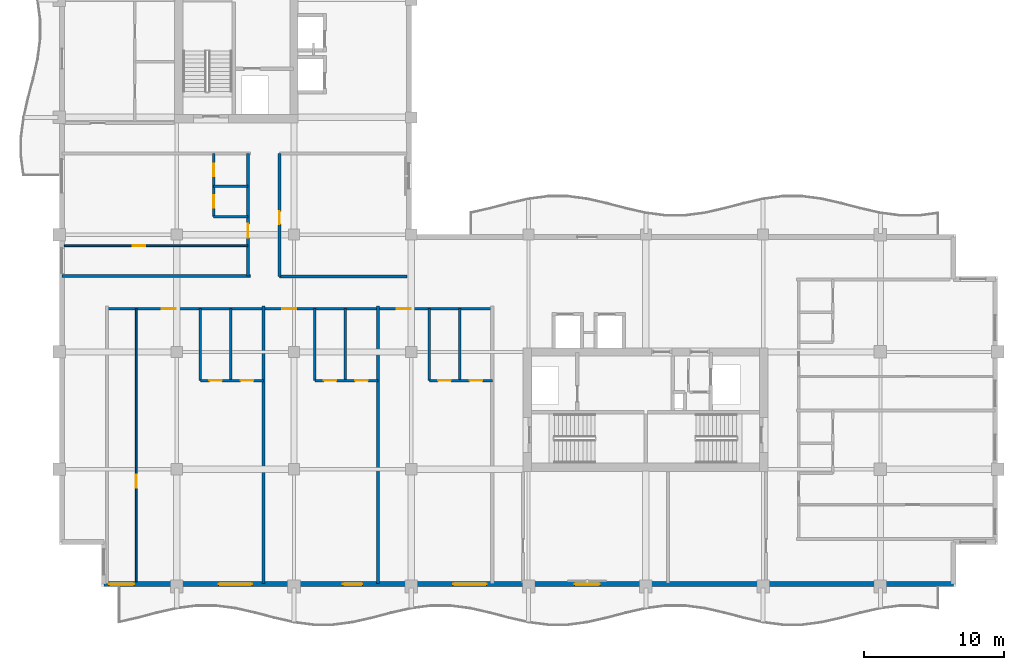
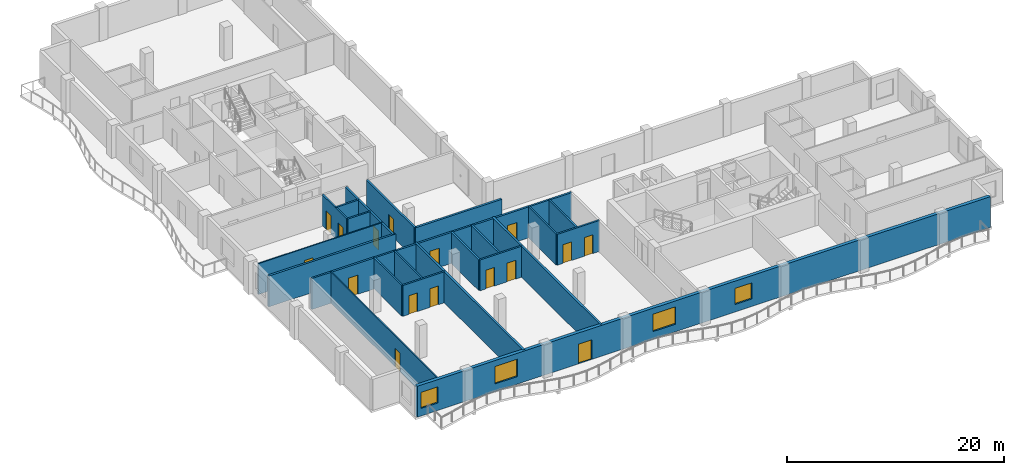
# One storey, part 3 of 12: 22 walls, 16 doors, 4 windows, 20 openings.
"""IFC4 building model written with IfcOpenShell, lengths in metres."""

from ifc_helpers import new_model, si_unit, direction, frame, frame_2d, origin, place, context, subcontext, project, spatial, rectangle, extrude, material, layer, layer_set, type_object, element, fill, save


model = new_model("IFC4")

# Units and contexts
model_context = context("Model", 3, precision=1e-05, world=origin(), true_north=direction((0.0, 1.0)))
body_context = subcontext(model_context, "Body", "Model", "MODEL_VIEW")
ifc_project = project(units=[si_unit("LENGTHUNIT", "METRE"), si_unit("AREAUNIT", "SQUARE_METRE"), si_unit("VOLUMEUNIT", "CUBIC_METRE"), si_unit("PLANEANGLEUNIT", "RADIAN"), si_unit("MASSUNIT", "GRAM", prefix="KILO")], contexts=[model_context])

# Site, building, storey
site_placement = place(None, origin())
site = spatial("IfcSite", under=ifc_project, at=site_placement, CompositionType="ELEMENT")
building_placement = place(site_placement, origin())
building = spatial("IfcBuilding", under=site, at=building_placement, Name="Koriwani Terraces Tower", CompositionType="ELEMENT")
storey_placement = place(building_placement, frame((0.0, 0.0, 249.0)))
storey = spatial("IfcBuildingStorey", under=building, at=storey_placement, Name="L61", CompositionType="ELEMENT", Elevation=249.0)

# Wall, opening, door
ifc_material_1 = material(Name="Autoclaved Cellular Concrete Blockwork", Category="masonry")
ifc_layer_1 = layer(ifc_material_1, 0.199951171875, Name="Autoclaved Cellular Concrete Blockwork")
ifc_layer_set_1 = layer_set([ifc_layer_1], Name="Autoclaved Cellular Concrete Blockwork")
wall_type_1 = type_object("IfcWallType", Name="WALL_CORRIDOR_200", PredefinedType="PARTITIONING", material=ifc_layer_set_1)
wall_1_placement = place(storey_placement, frame((24.14990234375, 30.60009765625, 0.0), z_axis=(0.0, 0.0, 1.0), x_axis=(0.0, 1.0, 0.0)))
wall_1 = element("IfcWall", 1, at=wall_1_placement, inside=storey, type_object=wall_type_1, Name="L61 Interior Wall WIC4W-L61", PredefinedType="PARTITIONING", context=body_context, shape_type="SweptSolid", body=[
    extrude(rectangle(XDim=8.7998046875, YDim=0.199951171875, at=frame_2d((4.39990234375, 0.0))), origin(), (0.0, 0.0, 1.0), 3.469970703125),
])
opening_1_placement = place(wall_1_placement, frame((3.75, 0.0, 0.0)))
opening_1 = element("IfcOpeningElement", 2, at=opening_1_placement, cuts=wall_1, Name="Opening D-06", PredefinedType="OPENING", context=body_context, shape_type="SweptSolid", body=[
    extrude(rectangle(XDim=0.919921875, YDim=2.10009765625, at=frame_2d((0.4599609375, 1.050048828125))), frame((0.0, 0.10986328125, 0.0), z_axis=(0.0, -1.0, 0.0), x_axis=(1.0, 0.0, 0.0)), (0.0, 0.0, 1.0), 0.219970703125),
])
ifc_material_2 = material(Name="Architectural Oak Fire Door", Category="wood")
door_type_1 = type_object("IfcDoorType", Name="DOOR_ROOM_INT_920X2100", OperationType="NOTDEFINED", PredefinedType="DOOR", material=ifc_material_2)
door_1_placement = place(opening_1_placement, origin())
door_1 = element("IfcDoor", 3, at=door_1_placement, inside=storey, type_object=door_type_1, Name="L61 High-Rise Court Study Door", OperationType="SINGLE_SWING_LEFT", OverallHeight=2.10009765625, OverallWidth=0.919921875, PredefinedType="DOOR", context=body_context, shape_type="SweptSolid", body=[
    extrude(rectangle(XDim=0.919921875, YDim=2.10009765625, at=frame_2d((0.4599609375, 1.050048828125))), frame((0.0, 0.02490234375, 0.0), z_axis=(0.0, -1.0, 0.0), x_axis=(1.0, 0.0, 0.0)), (0.0, 0.0, 1.0), 0.050048828125),
])
fill(opening_1, door_1)

# Wall, openings, doors
wall_2_placement = place(storey_placement, frame((11.800048828125, 28.300048828125, 0.0), z_axis=(0.0, 0.0, 1.0), x_axis=(1.0, 0.0, 0.0)))
wall_2 = element("IfcWall", 4, at=wall_2_placement, inside=storey, type_object=wall_type_1, Name="L61 Interior Wall WRCOR-L61-SW-0", PredefinedType="PARTITIONING", context=body_context, shape_type="SweptSolid", body=[
    extrude(rectangle(XDim=27.599853515625, YDim=0.199951171875, at=frame_2d((13.7998046875, 0.0))), origin(), (0.0, 0.0, 1.0), 3.469970703125),
])
opening_2_placement = place(wall_2_placement, frame((3.919921875, 0.0, 0.0)))
opening_2 = element("IfcOpeningElement", 5, at=opening_2_placement, cuts=wall_2, Name="Opening D-05", PredefinedType="OPENING", context=body_context, shape_type="SweptSolid", body=[
    extrude(rectangle(XDim=1.0, YDim=2.14990234375, at=frame_2d((0.5, 1.074951171875))), frame((0.0, 0.10986328125, 0.0), z_axis=(0.0, -1.0, 0.0), x_axis=(1.0, 0.0, 0.0)), (0.0, 0.0, 1.0), 0.219970703125),
])
opening_3_placement = place(wall_2_placement, frame((12.570068359375, 0.0, 0.0)))
opening_3 = element("IfcOpeningElement", 6, at=opening_3_placement, cuts=wall_2, Name="Opening D-05", PredefinedType="OPENING", context=body_context, shape_type="SweptSolid", body=[
    extrude(rectangle(XDim=1.0, YDim=2.14990234375, at=frame_2d((0.5, 1.074951171875))), frame((0.0, 0.10986328125, 0.0), z_axis=(0.0, -1.0, 0.0), x_axis=(1.0, 0.0, 0.0)), (0.0, 0.0, 1.0), 0.219970703125),
])
opening_4_placement = place(wall_2_placement, frame((20.77001953125, 0.0, 0.0)))
opening_4 = element("IfcOpeningElement", 7, at=opening_4_placement, cuts=wall_2, Name="Opening D-05", PredefinedType="OPENING", context=body_context, shape_type="SweptSolid", body=[
    extrude(rectangle(XDim=1.0, YDim=2.14990234375, at=frame_2d((0.5, 1.074951171875))), frame((0.0, 0.10986328125, 0.0), z_axis=(0.0, -1.0, 0.0), x_axis=(1.0, 0.0, 0.0)), (0.0, 0.0, 1.0), 0.219970703125),
])
door_type_2 = type_object("IfcDoorType", Name="DOOR_SUITE_ENTRY_1000X2150", OperationType="NOTDEFINED", PredefinedType="DOOR", material=ifc_material_2)
door_2_placement = place(opening_2_placement, origin())
door_2 = element("IfcDoor", 8, at=door_2_placement, inside=storey, type_object=door_type_2, Name="Apartment 61SW1 Entrance Door", OperationType="SINGLE_SWING_RIGHT", OverallHeight=2.14990234375, OverallWidth=1.0, PredefinedType="DOOR", context=body_context, shape_type="SweptSolid", body=[
    extrude(rectangle(XDim=1.0, YDim=2.14990234375, at=frame_2d((0.5, 1.074951171875))), frame((0.0, 0.02490234375, 0.0), z_axis=(0.0, -1.0, 0.0), x_axis=(1.0, 0.0, 0.0)), (0.0, 0.0, 1.0), 0.050048828125),
])
fill(opening_2, door_2)
door_3_placement = place(opening_3_placement, origin())
door_3 = element("IfcDoor", 9, at=door_3_placement, inside=storey, type_object=door_type_2, Name="Apartment 61SW2 Entrance Door", OperationType="SINGLE_SWING_RIGHT", OverallHeight=2.14990234375, OverallWidth=1.0, PredefinedType="DOOR", context=body_context, shape_type="SweptSolid", body=[
    extrude(rectangle(XDim=1.0, YDim=2.14990234375, at=frame_2d((0.5, 1.074951171875))), frame((0.0, 0.02490234375, 0.0), z_axis=(0.0, -1.0, 0.0), x_axis=(1.0, 0.0, 0.0)), (0.0, 0.0, 1.0), 0.050048828125),
])
fill(opening_3, door_3)
door_4_placement = place(opening_4_placement, origin())
door_4 = element("IfcDoor", 10, at=door_4_placement, inside=storey, type_object=door_type_2, Name="Apartment 61SW3 Entrance Door", OperationType="SINGLE_SWING_LEFT", OverallHeight=2.14990234375, OverallWidth=1.0, PredefinedType="DOOR", context=body_context, shape_type="SweptSolid", body=[
    extrude(rectangle(XDim=1.0, YDim=2.14990234375, at=frame_2d((0.5, 1.074951171875))), frame((0.0, 0.02490234375, 0.0), z_axis=(0.0, -1.0, 0.0), x_axis=(1.0, 0.0, 0.0)), (0.0, 0.0, 1.0), 0.050048828125),
])
fill(opening_4, door_4)

# Wall, opening, door
wall_3_placement = place(storey_placement, frame((21.89990234375, 30.64990234375, 0.0), z_axis=(0.0, 0.0, 1.0), x_axis=(0.0, 1.0, 0.0)))
wall_3 = element("IfcWall", 11, at=wall_3_placement, inside=storey, type_object=wall_type_1, Name="L61 Interior Wall WRCOR-L61-NE-0", PredefinedType="PARTITIONING", context=body_context, shape_type="SweptSolid", body=[
    extrude(rectangle(XDim=8.75, YDim=0.199951171875, at=frame_2d((4.375, 0.0))), origin(), (0.0, 0.0, 1.0), 3.469970703125),
])
opening_5_placement = place(wall_3_placement, frame((2.719970703125, 0.0, 0.0)))
opening_5 = element("IfcOpeningElement", 12, at=opening_5_placement, cuts=wall_3, Name="Opening D-05", PredefinedType="OPENING", context=body_context, shape_type="SweptSolid", body=[
    extrude(rectangle(XDim=1.0, YDim=2.14990234375, at=frame_2d((0.5, 1.074951171875))), frame((0.0, 0.10986328125, 0.0), z_axis=(0.0, -1.0, 0.0), x_axis=(1.0, 0.0, 0.0)), (0.0, 0.0, 1.0), 0.219970703125),
])
door_5_placement = place(opening_5_placement, origin())
door_5 = element("IfcDoor", 13, at=door_5_placement, inside=storey, type_object=door_type_2, Name="Apartment 61NE1 Entrance Door", OperationType="SINGLE_SWING_RIGHT", OverallHeight=2.14990234375, OverallWidth=1.0, PredefinedType="DOOR", context=body_context, shape_type="SweptSolid", body=[
    extrude(rectangle(XDim=1.0, YDim=2.14990234375, at=frame_2d((0.5, 1.074951171875))), frame((0.0, 0.02490234375, 0.0), z_axis=(0.0, -1.0, 0.0), x_axis=(1.0, 0.0, 0.0)), (0.0, 0.0, 1.0), 0.050048828125),
])
fill(opening_5, door_5)

# Walls
ifc_layer_2 = layer(ifc_material_1, 0.219970703125, Name="Autoclaved Cellular Concrete Blockwork")
ifc_layer_set_2 = layer_set([ifc_layer_2], Name="Autoclaved Cellular Concrete Blockwork")
wall_type_2 = type_object("IfcWallType", Name="WALL_DEMISING_220", PredefinedType="PARTITIONING", material=ifc_layer_set_2)
wall_4_placement = place(storey_placement, frame((24.14990234375, 30.60009765625, 0.0), z_axis=(0.0, 0.0, 1.0), x_axis=(1.0, 0.0, 0.0)))
element("IfcWall", 14, at=wall_4_placement, inside=storey, type_object=wall_type_2, Name="L61 Interior Wall WIC4WS-L61", PredefinedType="PARTITIONING", context=body_context, shape_type="SweptSolid", body=[
    extrude(rectangle(XDim=9.150146484375, YDim=0.219970703125, at=frame_2d((4.5751953125, 0.0))), origin(), (0.0, 0.0, 1.0), 3.469970703125),
])
for number, where, z_axis, x_axis, name in (
    (15, (23.0, 8.60009765625, 0.0), (0.0, 0.0, 1.0), (0.0, 1.0, 0.0), "L61 Interior Wall WRDEM-L61-SW-1"),
    (16, (31.199951171875, 8.60009765625, 0.0), (0.0, 0.0, 1.0), (0.0, 1.0, 0.0), "L61 Interior Wall WRDEM-L61-SW-2"),
):
    element("IfcWall", number, at=place(storey_placement, frame(where, z_axis=z_axis, x_axis=x_axis)), inside=storey, type_object=wall_type_2, Name=name, PredefinedType="PARTITIONING", context=body_context, shape_type="SweptSolid", body=[
        extrude(rectangle(XDim=19.8798828125, YDim=0.219970703125, at=frame_2d((9.93994140625, 0.0))), origin(), (0.0, 0.0, 1.0), 3.469970703125),
    ])
wall_5_placement = place(storey_placement, frame((8.60009765625, 30.64990234375, 0.0), z_axis=(0.0, 0.0, 1.0), x_axis=(1.0, 0.0, 0.0)))
element("IfcWall", 17, at=wall_5_placement, inside=storey, type_object=wall_type_2, Name="L61 Interior Wall WRDEM-L61-NE-0", PredefinedType="PARTITIONING", context=body_context, shape_type="SweptSolid", body=[
    extrude(rectangle(XDim=13.47998046875, YDim=0.219970703125, at=frame_2d((6.739990234375, 0.0))), origin(), (0.0, 0.0, 1.0), 3.469970703125),
])

# Wall, openings, door, windows
ifc_material_3 = material(Name="Concrete C50/60", Category="concrete")
ifc_layer_3 = layer(ifc_material_3, 0.35009765625, Name="Concrete C50/60")
ifc_layer_set_3 = layer_set([ifc_layer_3], Name="Concrete C50/60")
wall_type_3 = type_object("IfcWallType", Name="WALL_EXT_BRUTALIST_350", PredefinedType="STANDARD", material=ifc_layer_set_3)
wall_6_placement = place(storey_placement, frame((72.425048828125, 8.574951171875, 0.0), z_axis=(0.0, 0.0, 1.0), x_axis=(-1.0, 0.0, 0.0)))
wall_6 = element("IfcWall", 18, at=wall_6_placement, inside=storey, type_object=wall_type_3, Name="L61 Fair-Faced Brutalist Exterior Wall (S)", PredefinedType="STANDARD", context=body_context, shape_type="SweptSolid", body=[
    extrude(rectangle(XDim=60.85009765625, YDim=0.35009765625, at=frame_2d((30.425048828125, 0.0))), origin(), (0.0, 0.0, 1.0), 3.469970703125),
])
opening_6_placement = place(wall_6_placement, frame((42.324951171875, 0.0, 0.0)))
opening_6 = element("IfcOpeningElement", 19, at=opening_6_placement, cuts=wall_6, Name="Opening D-09", PredefinedType="OPENING", context=body_context, shape_type="SweptSolid", body=[
    extrude(rectangle(XDim=1.39990234375, YDim=2.199951171875, at=frame_2d((0.699951171875, 1.10009765625))), frame((0.0, 0.18505859375, 0.0), z_axis=(0.0, -1.0, 0.0), x_axis=(1.0, 0.0, 0.0)), (0.0, 0.0, 1.0), 0.3701171875),
])
opening_7_placement = place(wall_6_placement, frame((50.22509765625, 0.0, 0.85009765625)))
opening_7 = element("IfcOpeningElement", 20, at=opening_7_placement, cuts=wall_6, Name="Opening W-03", PredefinedType="OPENING", context=body_context, shape_type="SweptSolid", body=[
    extrude(rectangle(XDim=2.39990234375, YDim=1.949951171875, at=frame_2d((1.199951171875, 0.97509765625))), frame((0.0, 0.18505859375, 0.0), z_axis=(0.0, -1.0, 0.0), x_axis=(1.0, 0.0, 0.0)), (0.0, 0.0, 1.0), 0.3701171875),
])
opening_8_placement = place(wall_6_placement, frame((33.425048828125, 0.0, 0.85009765625)))
opening_8 = element("IfcOpeningElement", 21, at=opening_8_placement, cuts=wall_6, Name="Opening W-03", PredefinedType="OPENING", context=body_context, shape_type="SweptSolid", body=[
    extrude(rectangle(XDim=2.39990234375, YDim=1.949951171875, at=frame_2d((1.199951171875, 0.97509765625))), frame((0.0, 0.18505859375, 0.0), z_axis=(0.0, -1.0, 0.0), x_axis=(1.0, 0.0, 0.0)), (0.0, 0.0, 1.0), 0.3701171875),
])
opening_9_placement = place(wall_6_placement, frame((25.324951171875, 0.0, 0.85009765625)))
opening_9 = element("IfcOpeningElement", 22, at=opening_9_placement, cuts=wall_6, Name="Opening W-04", PredefinedType="OPENING", context=body_context, shape_type="SweptSolid", body=[
    extrude(rectangle(XDim=1.800048828125, YDim=1.800048828125, at=frame_2d((0.89990234375, 0.89990234375))), frame((0.0, 0.18505859375, 0.0), z_axis=(0.0, -1.0, 0.0), x_axis=(1.0, 0.0, 0.0)), (0.0, 0.0, 1.0), 0.3701171875),
])
opening_10_placement = place(wall_6_placement, frame((58.675048828125, 0.0, 0.85009765625)))
opening_10 = element("IfcOpeningElement", 23, at=opening_10_placement, cuts=wall_6, Name="Opening W-04", PredefinedType="OPENING", context=body_context, shape_type="SweptSolid", body=[
    extrude(rectangle(XDim=1.800048828125, YDim=1.800048828125, at=frame_2d((0.89990234375, 0.89990234375))), frame((0.0, 0.18505859375, 0.0), z_axis=(0.0, -1.0, 0.0), x_axis=(1.0, 0.0, 0.0)), (0.0, 0.0, 1.0), 0.3701171875),
])
ifc_material_4 = material(Name="Anodised Bronze Aluminium", Category="aluminium")
door_type_3 = type_object("IfcDoorType", Name="DOOR_BALCONY_GLAZED_1400X2200", OperationType="NOTDEFINED", PredefinedType="DOOR", material=ifc_material_4)
door_6_placement = place(opening_6_placement, origin())
door_6 = element("IfcDoor", 24, at=door_6_placement, inside=storey, type_object=door_type_3, Name="L61 South Balcony Glazed Door", OperationType="SINGLE_SWING_LEFT", OverallHeight=2.199951171875, OverallWidth=1.39990234375, PredefinedType="DOOR", context=body_context, shape_type="SweptSolid", body=[
    extrude(rectangle(XDim=1.39990234375, YDim=2.199951171875, at=frame_2d((0.699951171875, 1.10009765625))), frame((0.0, 0.02490234375, 0.0), z_axis=(0.0, -1.0, 0.0), x_axis=(1.0, 0.0, 0.0)), (0.0, 0.0, 1.0), 0.050048828125),
])
fill(opening_6, door_6)
ifc_material_5 = material(Name="Tempered Laminated Low-E Glass", Category="glass")
window_type_1 = type_object("IfcWindowType", Name="WIN_RES_BED_1800X1800", PartitioningType="DOUBLE_PANEL_VERTICAL", PredefinedType="WINDOW", material=ifc_material_5)
window_1_placement = place(opening_9_placement, origin())
window_1 = element("IfcWindow", 25, at=window_1_placement, inside=storey, type_object=window_type_1, Name="L61 Exterior Window (S-12)", OverallHeight=1.800048828125, OverallWidth=1.800048828125, PartitioningType="SINGLE_PANEL", PredefinedType="WINDOW", context=body_context, shape_type="SweptSolid", body=[
    extrude(rectangle(XDim=1.800048828125, YDim=1.800048828125, at=frame_2d((0.89990234375, 0.89990234375))), frame((0.0, 0.030029296875, 0.0), z_axis=(0.0, -1.0, 0.0), x_axis=(1.0, 0.0, 0.0)), (0.0, 0.0, 1.0), 0.06005859375),
])
fill(opening_9, window_1)
window_2_placement = place(opening_10_placement, origin())
window_2 = element("IfcWindow", 26, at=window_2_placement, inside=storey, type_object=window_type_1, Name="L61 Exterior Window (S-R34)", OverallHeight=1.800048828125, OverallWidth=1.800048828125, PartitioningType="SINGLE_PANEL", PredefinedType="WINDOW", context=body_context, shape_type="SweptSolid", body=[
    extrude(rectangle(XDim=1.800048828125, YDim=1.800048828125, at=frame_2d((0.89990234375, 0.89990234375))), frame((0.0, 0.030029296875, 0.0), z_axis=(0.0, -1.0, 0.0), x_axis=(1.0, 0.0, 0.0)), (0.0, 0.0, 1.0), 0.06005859375),
])
fill(opening_10, window_2)
window_type_2 = type_object("IfcWindowType", Name="WIN_RES_LIVING_2400X1950", PartitioningType="DOUBLE_PANEL_VERTICAL", PredefinedType="WINDOW", material=ifc_material_5)
window_3_placement = place(opening_7_placement, origin())
window_3 = element("IfcWindow", 27, at=window_3_placement, inside=storey, type_object=window_type_2, Name="L61 Exterior Window (S-3)", OverallHeight=1.949951171875, OverallWidth=2.39990234375, PartitioningType="SINGLE_PANEL", PredefinedType="WINDOW", context=body_context, shape_type="SweptSolid", body=[
    extrude(rectangle(XDim=2.39990234375, YDim=1.949951171875, at=frame_2d((1.199951171875, 0.97509765625))), frame((0.0, 0.030029296875, 0.0), z_axis=(0.0, -1.0, 0.0), x_axis=(1.0, 0.0, 0.0)), (0.0, 0.0, 1.0), 0.06005859375),
])
fill(opening_7, window_3)
window_4_placement = place(opening_8_placement, origin())
window_4 = element("IfcWindow", 28, at=window_4_placement, inside=storey, type_object=window_type_2, Name="L61 Exterior Window (S-9)", OverallHeight=1.949951171875, OverallWidth=2.39990234375, PartitioningType="SINGLE_PANEL", PredefinedType="WINDOW", context=body_context, shape_type="SweptSolid", body=[
    extrude(rectangle(XDim=2.39990234375, YDim=1.949951171875, at=frame_2d((1.199951171875, 0.97509765625))), frame((0.0, 0.030029296875, 0.0), z_axis=(0.0, -1.0, 0.0), x_axis=(1.0, 0.0, 0.0)), (0.0, 0.0, 1.0), 0.06005859375),
])
fill(opening_8, window_4)

# Wall, opening, door
ifc_material_6 = material(Name="Fire-Rated Acoustic Gypsum Partition", Category="masonry")
ifc_layer_4 = layer(ifc_material_6, 0.125, Name="Fire-Rated Acoustic Gypsum Partition")
ifc_layer_set_4 = layer_set([ifc_layer_4], Name="Fire-Rated Acoustic Gypsum Partition")
wall_type_4 = type_object("IfcWallType", Name="WALL_INT_125", PredefinedType="PARTITIONING", material=ifc_layer_set_4)
wall_7_placement = place(storey_placement, frame((13.89990234375, 8.75, 0.0), z_axis=(0.0, 0.0, 1.0), x_axis=(0.0, 1.0, 0.0)))
wall_7 = element("IfcWall", 29, at=wall_7_placement, inside=storey, type_object=wall_type_4, Name="L61 Interior Wall WRBED1-L61-SW-0", PredefinedType="PARTITIONING", context=body_context, shape_type="SweptSolid", body=[
    extrude(rectangle(XDim=19.550048828125, YDim=0.125, at=frame_2d((9.77490234375, 0.0))), origin(), (0.0, 0.0, 1.0), 3.469970703125),
])
opening_11_placement = place(wall_7_placement, frame((6.739990234375, 0.0, 0.0)))
opening_11 = element("IfcOpeningElement", 30, at=opening_11_placement, cuts=wall_7, Name="Opening D-06", PredefinedType="OPENING", context=body_context, shape_type="SweptSolid", body=[
    extrude(rectangle(XDim=0.919921875, YDim=2.10009765625, at=frame_2d((0.4599609375, 1.050048828125))), frame((0.0, 0.072509765625, 0.0), z_axis=(0.0, -1.0, 0.0), x_axis=(1.0, 0.0, 0.0)), (0.0, 0.0, 1.0), 0.14501953125),
])
door_7_placement = place(opening_11_placement, origin())
door_7 = element("IfcDoor", 31, at=door_7_placement, inside=storey, type_object=door_type_1, Name="Apartment 61SW1 Master Bedroom Door", OperationType="SINGLE_SWING_LEFT", OverallHeight=2.10009765625, OverallWidth=0.919921875, PredefinedType="DOOR", context=body_context, shape_type="SweptSolid", body=[
    extrude(rectangle(XDim=0.919921875, YDim=2.10009765625, at=frame_2d((0.4599609375, 1.050048828125))), frame((0.0, 0.02490234375, 0.0), z_axis=(0.0, -1.0, 0.0), x_axis=(1.0, 0.0, 0.0)), (0.0, 0.0, 1.0), 0.050048828125),
])
fill(opening_11, door_7)

wall_8_placement = place(storey_placement, frame((8.75, 32.800048828125, 0.0), z_axis=(0.0, 0.0, 1.0), x_axis=(1.0, 0.0, 0.0)))
wall_8 = element("IfcWall", 32, at=wall_8_placement, inside=storey, type_object=wall_type_4, Name="L61 Interior Wall WRBED1-L61-NE-0", PredefinedType="PARTITIONING", context=body_context, shape_type="SweptSolid", body=[
    extrude(rectangle(XDim=13.14990234375, YDim=0.125, at=frame_2d((6.574951171875, 0.0))), origin(), (0.0, 0.0, 1.0), 3.469970703125),
])
opening_12_placement = place(wall_8_placement, frame((4.889892578125, 0.0, 0.0)))
opening_12 = element("IfcOpeningElement", 33, at=opening_12_placement, cuts=wall_8, Name="Opening D-06", PredefinedType="OPENING", context=body_context, shape_type="SweptSolid", body=[
    extrude(rectangle(XDim=0.919921875, YDim=2.10009765625, at=frame_2d((0.4599609375, 1.050048828125))), frame((0.0, 0.072509765625, 0.0), z_axis=(0.0, -1.0, 0.0), x_axis=(1.0, 0.0, 0.0)), (0.0, 0.0, 1.0), 0.14501953125),
])
door_8_placement = place(opening_12_placement, origin())
door_8 = element("IfcDoor", 34, at=door_8_placement, inside=storey, type_object=door_type_1, Name="Apartment 61NE1 Master Bedroom Door", OperationType="SINGLE_SWING_LEFT", OverallHeight=2.10009765625, OverallWidth=0.919921875, PredefinedType="DOOR", context=body_context, shape_type="SweptSolid", body=[
    extrude(rectangle(XDim=0.919921875, YDim=2.10009765625, at=frame_2d((0.4599609375, 1.050048828125))), frame((0.0, 0.02490234375, 0.0), z_axis=(0.0, -1.0, 0.0), x_axis=(1.0, 0.0, 0.0)), (0.0, 0.0, 1.0), 0.050048828125),
])
fill(opening_12, door_8)

# Wall, openings, doors
ifc_layer_5 = layer(ifc_material_6, 0.179931640625, Name="Fire-Rated Acoustic Gypsum Partition")
ifc_layer_set_5 = layer_set([ifc_layer_5], Name="Fire-Rated Acoustic Gypsum Partition")
wall_type_5 = type_object("IfcWallType", Name="WALL_PLUMBING_180", PredefinedType="PLUMBINGWALL", material=ifc_layer_set_5)
wall_9_placement = place(storey_placement, frame((18.5, 23.14990234375, 0.0), z_axis=(0.0, 0.0, 1.0), x_axis=(1.0, 0.0, 0.0)))
wall_9 = element("IfcWall", 35, at=wall_9_placement, inside=storey, type_object=wall_type_5, Name="L61 Interior Wall WRSVC-L61-SW-0", PredefinedType="PLUMBINGWALL", context=body_context, shape_type="SweptSolid", body=[
    extrude(rectangle(XDim=4.5, YDim=0.179931640625, at=frame_2d((2.25, 0.0))), origin(), (0.0, 0.0, 1.0), 3.469970703125),
])
opening_13_placement = place(wall_9_placement, frame((0.6298828125, 0.0, 0.0)))
opening_13 = element("IfcOpeningElement", 36, at=opening_13_placement, cuts=wall_9, Name="Opening D-07", PredefinedType="OPENING", context=body_context, shape_type="SweptSolid", body=[
    extrude(rectangle(XDim=0.89990234375, YDim=2.10009765625, at=frame_2d((0.449951171875, 1.050048828125))), frame((0.0, 0.10009765625, 0.0), z_axis=(0.0, -1.0, 0.0), x_axis=(1.0, 0.0, 0.0)), (0.0, 0.0, 1.0), 0.199951171875),
])
opening_14_placement = place(wall_9_placement, frame((2.8701171875, 0.0, 0.0)))
opening_14 = element("IfcOpeningElement", 37, at=opening_14_placement, cuts=wall_9, Name="Opening D-06", PredefinedType="OPENING", context=body_context, shape_type="SweptSolid", body=[
    extrude(rectangle(XDim=0.919921875, YDim=2.10009765625, at=frame_2d((0.4599609375, 1.050048828125))), frame((0.0, 0.10009765625, 0.0), z_axis=(0.0, -1.0, 0.0), x_axis=(1.0, 0.0, 0.0)), (0.0, 0.0, 1.0), 0.199951171875),
])
door_type_4 = type_object("IfcDoorType", Name="DOOR_BATH_INT_900X2100", OperationType="NOTDEFINED", PredefinedType="DOOR", material=ifc_material_2)
door_9_placement = place(opening_13_placement, origin())
door_9 = element("IfcDoor", 38, at=door_9_placement, inside=storey, type_object=door_type_4, Name="Apartment 61SW1 Bathroom Door", OperationType="SINGLE_SWING_LEFT", OverallHeight=2.10009765625, OverallWidth=0.89990234375, PredefinedType="DOOR", context=body_context, shape_type="SweptSolid", body=[
    extrude(rectangle(XDim=0.89990234375, YDim=2.10009765625, at=frame_2d((0.449951171875, 1.050048828125))), frame((0.0, 0.02490234375, 0.0), z_axis=(0.0, -1.0, 0.0), x_axis=(1.0, 0.0, 0.0)), (0.0, 0.0, 1.0), 0.050048828125),
])
fill(opening_13, door_9)
door_10_placement = place(opening_14_placement, origin())
door_10 = element("IfcDoor", 39, at=door_10_placement, inside=storey, type_object=door_type_1, Name="Apartment 61SW1 Kitchen Door", OperationType="SINGLE_SWING_RIGHT", OverallHeight=2.10009765625, OverallWidth=0.919921875, PredefinedType="DOOR", context=body_context, shape_type="SweptSolid", body=[
    extrude(rectangle(XDim=0.919921875, YDim=2.10009765625, at=frame_2d((0.4599609375, 1.050048828125))), frame((0.0, 0.02490234375, 0.0), z_axis=(0.0, -1.0, 0.0), x_axis=(1.0, 0.0, 0.0)), (0.0, 0.0, 1.0), 0.050048828125),
])
fill(opening_14, door_10)

# Walls
for number, where, z_axis, x_axis, name in (
    (40, (18.5, 23.14990234375, 0.0), (0.0, 0.0, 1.0), (0.0, 1.0, 0.0), "L61 Interior Wall WRSVCS-L61-SW-0"),
    (41, (20.659912109375, 23.14990234375, 0.0), (0.0, 0.0, 1.0), (0.0, 1.0, 0.0), "L61 Interior Wall WRSVCM-L61-SW-0"),
):
    element("IfcWall", number, at=place(storey_placement, frame(where, z_axis=z_axis, x_axis=x_axis)), inside=storey, type_object=wall_type_5, Name=name, PredefinedType="PLUMBINGWALL", context=body_context, shape_type="SweptSolid", body=[
        extrude(rectangle(XDim=5.150146484375, YDim=0.179931640625, at=frame_2d((2.5751953125, 0.0))), origin(), (0.0, 0.0, 1.0), 3.469970703125),
    ])

# Wall, openings, doors
wall_10_placement = place(storey_placement, frame((26.699951171875, 23.14990234375, 0.0), z_axis=(0.0, 0.0, 1.0), x_axis=(1.0, 0.0, 0.0)))
wall_10 = element("IfcWall", 42, at=wall_10_placement, inside=storey, type_object=wall_type_5, Name="L61 Interior Wall WRSVC-L61-SW-1", PredefinedType="PLUMBINGWALL", context=body_context, shape_type="SweptSolid", body=[
    extrude(rectangle(XDim=4.5, YDim=0.179931640625, at=frame_2d((2.25, 0.0))), origin(), (0.0, 0.0, 1.0), 3.469970703125),
])
opening_15_placement = place(wall_10_placement, frame((0.6298828125, 0.0, 0.0)))
opening_15 = element("IfcOpeningElement", 43, at=opening_15_placement, cuts=wall_10, Name="Opening D-07", PredefinedType="OPENING", context=body_context, shape_type="SweptSolid", body=[
    extrude(rectangle(XDim=0.89990234375, YDim=2.10009765625, at=frame_2d((0.449951171875, 1.050048828125))), frame((0.0, 0.10009765625, 0.0), z_axis=(0.0, -1.0, 0.0), x_axis=(1.0, 0.0, 0.0)), (0.0, 0.0, 1.0), 0.199951171875),
])
opening_16_placement = place(wall_10_placement, frame((2.8701171875, 0.0, 0.0)))
opening_16 = element("IfcOpeningElement", 44, at=opening_16_placement, cuts=wall_10, Name="Opening D-06", PredefinedType="OPENING", context=body_context, shape_type="SweptSolid", body=[
    extrude(rectangle(XDim=0.919921875, YDim=2.10009765625, at=frame_2d((0.4599609375, 1.050048828125))), frame((0.0, 0.10009765625, 0.0), z_axis=(0.0, -1.0, 0.0), x_axis=(1.0, 0.0, 0.0)), (0.0, 0.0, 1.0), 0.199951171875),
])
door_11_placement = place(opening_15_placement, origin())
door_11 = element("IfcDoor", 45, at=door_11_placement, inside=storey, type_object=door_type_4, Name="Apartment 61SW2 Bathroom Door", OperationType="SINGLE_SWING_LEFT", OverallHeight=2.10009765625, OverallWidth=0.89990234375, PredefinedType="DOOR", context=body_context, shape_type="SweptSolid", body=[
    extrude(rectangle(XDim=0.89990234375, YDim=2.10009765625, at=frame_2d((0.449951171875, 1.050048828125))), frame((0.0, 0.02490234375, 0.0), z_axis=(0.0, -1.0, 0.0), x_axis=(1.0, 0.0, 0.0)), (0.0, 0.0, 1.0), 0.050048828125),
])
fill(opening_15, door_11)
door_12_placement = place(opening_16_placement, origin())
door_12 = element("IfcDoor", 46, at=door_12_placement, inside=storey, type_object=door_type_1, Name="Apartment 61SW2 Kitchen Door", OperationType="SINGLE_SWING_RIGHT", OverallHeight=2.10009765625, OverallWidth=0.919921875, PredefinedType="DOOR", context=body_context, shape_type="SweptSolid", body=[
    extrude(rectangle(XDim=0.919921875, YDim=2.10009765625, at=frame_2d((0.4599609375, 1.050048828125))), frame((0.0, 0.02490234375, 0.0), z_axis=(0.0, -1.0, 0.0), x_axis=(1.0, 0.0, 0.0)), (0.0, 0.0, 1.0), 0.050048828125),
])
fill(opening_16, door_12)

# Walls
for number, where, z_axis, x_axis, name in (
    (47, (26.699951171875, 23.14990234375, 0.0), (0.0, 0.0, 1.0), (0.0, 1.0, 0.0), "L61 Interior Wall WRSVCS-L61-SW-1"),
    (48, (28.860107421875, 23.14990234375, 0.0), (0.0, 0.0, 1.0), (0.0, 1.0, 0.0), "L61 Interior Wall WRSVCM-L61-SW-1"),
):
    element("IfcWall", number, at=place(storey_placement, frame(where, z_axis=z_axis, x_axis=x_axis)), inside=storey, type_object=wall_type_5, Name=name, PredefinedType="PLUMBINGWALL", context=body_context, shape_type="SweptSolid", body=[
        extrude(rectangle(XDim=5.150146484375, YDim=0.179931640625, at=frame_2d((2.5751953125, 0.0))), origin(), (0.0, 0.0, 1.0), 3.469970703125),
    ])

# Wall, openings, doors
wall_11_placement = place(storey_placement, frame((34.89990234375, 23.14990234375, 0.0), z_axis=(0.0, 0.0, 1.0), x_axis=(1.0, 0.0, 0.0)))
wall_11 = element("IfcWall", 49, at=wall_11_placement, inside=storey, type_object=wall_type_5, Name="L61 Interior Wall WRSVC-L61-SW-2", PredefinedType="PLUMBINGWALL", context=body_context, shape_type="SweptSolid", body=[
    extrude(rectangle(XDim=4.5, YDim=0.179931640625, at=frame_2d((2.25, 0.0))), origin(), (0.0, 0.0, 1.0), 3.469970703125),
])
opening_17_placement = place(wall_11_placement, frame((0.6298828125, 0.0, 0.0)))
opening_17 = element("IfcOpeningElement", 50, at=opening_17_placement, cuts=wall_11, Name="Opening D-07", PredefinedType="OPENING", context=body_context, shape_type="SweptSolid", body=[
    extrude(rectangle(XDim=0.89990234375, YDim=2.10009765625, at=frame_2d((0.449951171875, 1.050048828125))), frame((0.0, 0.10009765625, 0.0), z_axis=(0.0, -1.0, 0.0), x_axis=(1.0, 0.0, 0.0)), (0.0, 0.0, 1.0), 0.199951171875),
])
opening_18_placement = place(wall_11_placement, frame((2.8701171875, 0.0, 0.0)))
opening_18 = element("IfcOpeningElement", 51, at=opening_18_placement, cuts=wall_11, Name="Opening D-06", PredefinedType="OPENING", context=body_context, shape_type="SweptSolid", body=[
    extrude(rectangle(XDim=0.919921875, YDim=2.10009765625, at=frame_2d((0.4599609375, 1.050048828125))), frame((0.0, 0.10009765625, 0.0), z_axis=(0.0, -1.0, 0.0), x_axis=(1.0, 0.0, 0.0)), (0.0, 0.0, 1.0), 0.199951171875),
])
door_13_placement = place(opening_17_placement, origin())
door_13 = element("IfcDoor", 52, at=door_13_placement, inside=storey, type_object=door_type_4, Name="Apartment 61SW3 Bathroom Door", OperationType="SINGLE_SWING_RIGHT", OverallHeight=2.10009765625, OverallWidth=0.89990234375, PredefinedType="DOOR", context=body_context, shape_type="SweptSolid", body=[
    extrude(rectangle(XDim=0.89990234375, YDim=2.10009765625, at=frame_2d((0.449951171875, 1.050048828125))), frame((0.0, 0.02490234375, 0.0), z_axis=(0.0, -1.0, 0.0), x_axis=(1.0, 0.0, 0.0)), (0.0, 0.0, 1.0), 0.050048828125),
])
fill(opening_17, door_13)
door_14_placement = place(opening_18_placement, origin())
door_14 = element("IfcDoor", 53, at=door_14_placement, inside=storey, type_object=door_type_1, Name="Apartment 61SW3 Kitchen Door", OperationType="SINGLE_SWING_LEFT", OverallHeight=2.10009765625, OverallWidth=0.919921875, PredefinedType="DOOR", context=body_context, shape_type="SweptSolid", body=[
    extrude(rectangle(XDim=0.919921875, YDim=2.10009765625, at=frame_2d((0.4599609375, 1.050048828125))), frame((0.0, 0.02490234375, 0.0), z_axis=(0.0, -1.0, 0.0), x_axis=(1.0, 0.0, 0.0)), (0.0, 0.0, 1.0), 0.050048828125),
])
fill(opening_18, door_14)

# Walls
for number, where, z_axis, x_axis, name in (
    (54, (34.89990234375, 23.14990234375, 0.0), (0.0, 0.0, 1.0), (0.0, 1.0, 0.0), "L61 Interior Wall WRSVCS-L61-SW-2"),
    (55, (37.06005859375, 23.14990234375, 0.0), (0.0, 0.0, 1.0), (0.0, 1.0, 0.0), "L61 Interior Wall WRSVCM-L61-SW-2"),
):
    element("IfcWall", number, at=place(storey_placement, frame(where, z_axis=z_axis, x_axis=x_axis)), inside=storey, type_object=wall_type_5, Name=name, PredefinedType="PLUMBINGWALL", context=body_context, shape_type="SweptSolid", body=[
        extrude(rectangle(XDim=5.150146484375, YDim=0.179931640625, at=frame_2d((2.5751953125, 0.0))), origin(), (0.0, 0.0, 1.0), 3.469970703125),
    ])

# Wall, openings, doors
wall_12_placement = place(storey_placement, frame((19.449951171875, 34.89990234375, 0.0), z_axis=(0.0, 0.0, 1.0), x_axis=(0.0, 1.0, 0.0)))
wall_12 = element("IfcWall", 56, at=wall_12_placement, inside=storey, type_object=wall_type_5, Name="L61 Interior Wall WRSVC-L61-NE-0", PredefinedType="PLUMBINGWALL", context=body_context, shape_type="SweptSolid", body=[
    extrude(rectangle(XDim=4.5, YDim=0.179931640625, at=frame_2d((2.25, 0.0))), origin(), (0.0, 0.0, 1.0), 3.469970703125),
])
opening_19_placement = place(wall_12_placement, frame((0.6298828125, 0.0, 0.0)))
opening_19 = element("IfcOpeningElement", 57, at=opening_19_placement, cuts=wall_12, Name="Opening D-07", PredefinedType="OPENING", context=body_context, shape_type="SweptSolid", body=[
    extrude(rectangle(XDim=0.89990234375, YDim=2.10009765625, at=frame_2d((0.449951171875, 1.050048828125))), frame((0.0, 0.10009765625, 0.0), z_axis=(0.0, -1.0, 0.0), x_axis=(1.0, 0.0, 0.0)), (0.0, 0.0, 1.0), 0.199951171875),
])
opening_20_placement = place(wall_12_placement, frame((2.8701171875, 0.0, 0.0)))
opening_20 = element("IfcOpeningElement", 58, at=opening_20_placement, cuts=wall_12, Name="Opening D-06", PredefinedType="OPENING", context=body_context, shape_type="SweptSolid", body=[
    extrude(rectangle(XDim=0.919921875, YDim=2.10009765625, at=frame_2d((0.4599609375, 1.050048828125))), frame((0.0, 0.10009765625, 0.0), z_axis=(0.0, -1.0, 0.0), x_axis=(1.0, 0.0, 0.0)), (0.0, 0.0, 1.0), 0.199951171875),
])
door_15_placement = place(opening_19_placement, origin())
door_15 = element("IfcDoor", 59, at=door_15_placement, inside=storey, type_object=door_type_4, Name="Apartment 61NE1 Bathroom Door", OperationType="SINGLE_SWING_LEFT", OverallHeight=2.10009765625, OverallWidth=0.89990234375, PredefinedType="DOOR", context=body_context, shape_type="SweptSolid", body=[
    extrude(rectangle(XDim=0.89990234375, YDim=2.10009765625, at=frame_2d((0.449951171875, 1.050048828125))), frame((0.0, 0.02490234375, 0.0), z_axis=(0.0, -1.0, 0.0), x_axis=(1.0, 0.0, 0.0)), (0.0, 0.0, 1.0), 0.050048828125),
])
fill(opening_19, door_15)
door_16_placement = place(opening_20_placement, origin())
door_16 = element("IfcDoor", 60, at=door_16_placement, inside=storey, type_object=door_type_1, Name="Apartment 61NE1 Kitchen Door", OperationType="SINGLE_SWING_RIGHT", OverallHeight=2.10009765625, OverallWidth=0.919921875, PredefinedType="DOOR", context=body_context, shape_type="SweptSolid", body=[
    extrude(rectangle(XDim=0.919921875, YDim=2.10009765625, at=frame_2d((0.4599609375, 1.050048828125))), frame((0.0, 0.02490234375, 0.0), z_axis=(0.0, -1.0, 0.0), x_axis=(1.0, 0.0, 0.0)), (0.0, 0.0, 1.0), 0.050048828125),
])
fill(opening_20, door_16)

# Walls
for number, where, z_axis, x_axis, name in (
    (61, (19.449951171875, 34.89990234375, 0.0), (0.0, 0.0, 1.0), (1.0, 0.0, 0.0), "L61 Interior Wall WRSVCS-L61-NE-0"),
    (62, (19.449951171875, 37.06005859375, 0.0), (0.0, 0.0, 1.0), (1.0, 0.0, 0.0), "L61 Interior Wall WRSVCM-L61-NE-0"),
):
    element("IfcWall", number, at=place(storey_placement, frame(where, z_axis=z_axis, x_axis=x_axis)), inside=storey, type_object=wall_type_5, Name=name, PredefinedType="PLUMBINGWALL", context=body_context, shape_type="SweptSolid", body=[
        extrude(rectangle(XDim=2.449951171875, YDim=0.179931640625, at=frame_2d((1.22509765625, 0.0))), origin(), (0.0, 0.0, 1.0), 3.469970703125),
    ])

save(model, "model.ifc")
